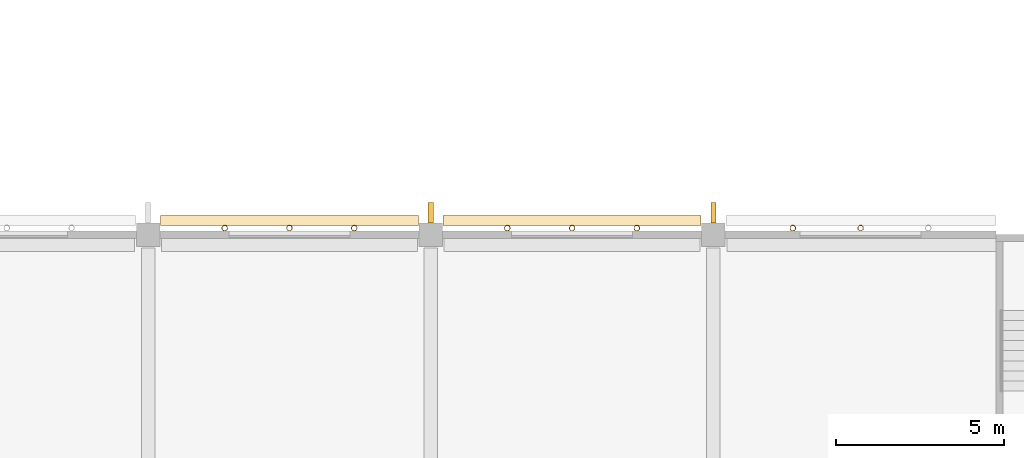
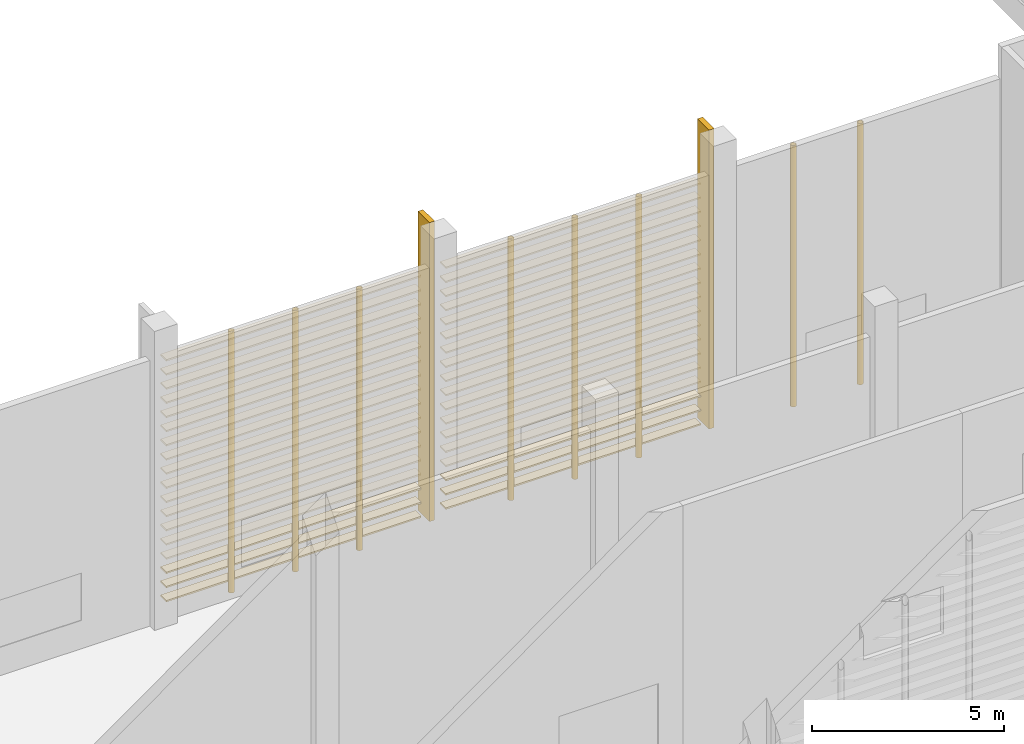
# One storey, part 90 of 114: 36 coverings, 10 shading devices.
"""IFC4 building model written with IfcOpenShell, lengths in metres."""

from ifc_helpers import new_model, si_unit, direction, frame, origin, origin_2d, place, context, subcontext, project, spatial, rectangle, hollow_circle, extrude, material, material_profile, profile_set, type_object, element, save


model = new_model("IFC4")

# Units and contexts
model_context = context("Model", 3, precision=1e-05, world=origin(), true_north=direction((0.0, 1.0)))
body_context = subcontext(model_context, "Body", "Model", "MODEL_VIEW")
ifc_project = project(units=[si_unit("LENGTHUNIT", "METRE"), si_unit("AREAUNIT", "SQUARE_METRE"), si_unit("VOLUMEUNIT", "CUBIC_METRE"), si_unit("PLANEANGLEUNIT", "RADIAN"), si_unit("MASSUNIT", "GRAM", prefix="KILO")], contexts=[model_context])

# Site, building, storey
site_placement = place(None, origin())
site = spatial("IfcSite", under=ifc_project, at=site_placement, CompositionType="ELEMENT")
building_placement = place(site_placement, origin())
building = spatial("IfcBuilding", under=site, at=building_placement, Name="Almond Square Museum", CompositionType="ELEMENT")
storey_placement = place(building_placement, frame((0.0, 0.0, 10.5)))
storey = spatial("IfcBuildingStorey", under=building, at=storey_placement, Name="L02", CompositionType="ELEMENT", Elevation=10.5)

# Shading devices
ifc_material_1 = material(Name="Structural steel S355", Category="steel")
ifc_material_profile_1 = material_profile(ifc_material_1, hollow_circle(Radius=0.084228515625, WallThickness=0.008056640625, at=origin_2d()))
ifc_profile_set_1 = profile_set([ifc_material_profile_1], Name="Structural steel S355")
shading_device_type_1 = type_object("IfcShadingDeviceType", Name="Louvre post CHS 168.3 x 8", PredefinedType="USERDEFINED", material=ifc_profile_set_1)
for number, where, z_axis, x_axis, name in (
    (1, (117.5625, 16.994140625, 0.0), (0.0, 0.0, 1.0), (1.0, 0.0, 0.0), "Louvre screen post"),
    (2, (119.574951171875, 16.994140625, 0.0), (0.0, 0.0, 1.0), (1.0, 0.0, 0.0), "Louvre screen post"),
    (3, (109.074951171875, 16.994140625, 0.0), (0.0, 0.0, 1.0), (1.0, 0.0, 0.0), "Louvre screen post"),
    (4, (111.0, 16.994140625, 0.0), (0.0, 0.0, 1.0), (1.0, 0.0, 0.0), "Louvre screen post"),
    (5, (112.925048828125, 16.994140625, 0.0), (0.0, 0.0, 1.0), (1.0, 0.0, 0.0), "Louvre screen post"),
    (6, (100.675048828125, 16.994140625, 0.0), (0.0, 0.0, 1.0), (1.0, 0.0, 0.0), "Louvre screen post"),
    (7, (102.60009765625, 16.994140625, 0.0), (0.0, 0.0, 1.0), (1.0, 0.0, 0.0), "Louvre screen post"),
    (8, (104.52490234375, 16.994140625, 0.0), (0.0, 0.0, 1.0), (1.0, 0.0, 0.0), "Louvre screen post"),
):
    element("IfcShadingDevice", number, at=place(storey_placement, frame(where, z_axis=z_axis, x_axis=x_axis)), inside=storey, type_object=shading_device_type_1, Name=name, ObjectType="POST", PredefinedType="USERDEFINED", context=body_context, shape_type="SweptSolid", body=[
        extrude(hollow_circle(Radius=0.084228515625, WallThickness=0.008056640625, at=origin_2d()), origin(), (0.0, 0.0, 1.0), 8.300048828125),
    ])

# Coverings
ifc_material_2 = material(Name="Cedar timber louvre board", Category="wood")
ifc_material_profile_2 = material_profile(ifc_material_2, rectangle(XDim=0.300048828125, YDim=0.050048828125, at=origin_2d()))
ifc_profile_set_2 = profile_set([ifc_material_profile_2], Name="Cedar timber louvre board")
covering_type = type_object("IfcCoveringType", Name="Louvre screen board 300 x 50", PredefinedType="CLADDING", material=ifc_profile_set_2)
for number, where, z_axis, x_axis, name in (
    (9, (107.169921875, 17.224365234375, 0.300048828125), (1.0, 0.0, 0.0), (0.0, 1.0, 0.0), "Louvre screen board"),
    (10, (107.169921875, 17.224365234375, 0.75), (1.0, 0.0, 0.0), (0.0, 1.0, 0.0), "Louvre screen board"),
    (11, (107.169921875, 17.224365234375, 1.199951171875), (1.0, 0.0, 0.0), (0.0, 1.0, 0.0), "Louvre screen board"),
    (12, (107.169921875, 17.224365234375, 1.64990234375), (1.0, 0.0, 0.0), (0.0, 1.0, 0.0), "Louvre screen board"),
    (13, (107.169921875, 17.224365234375, 2.10009765625), (1.0, 0.0, 0.0), (0.0, 1.0, 0.0), "Louvre screen board"),
    (14, (107.169921875, 17.224365234375, 2.550048828125), (1.0, 0.0, 0.0), (0.0, 1.0, 0.0), "Louvre screen board"),
    (15, (107.169921875, 17.224365234375, 3.0), (1.0, 0.0, 0.0), (0.0, 1.0, 0.0), "Louvre screen board"),
    (16, (107.169921875, 17.224365234375, 3.449951171875), (1.0, 0.0, 0.0), (0.0, 1.0, 0.0), "Louvre screen board"),
    (17, (107.169921875, 17.224365234375, 3.89990234375), (1.0, 0.0, 0.0), (0.0, 1.0, 0.0), "Louvre screen board"),
    (18, (107.169921875, 17.224365234375, 4.35009765625), (1.0, 0.0, 0.0), (0.0, 1.0, 0.0), "Louvre screen board"),
    (19, (107.169921875, 17.224365234375, 4.800048828125), (1.0, 0.0, 0.0), (0.0, 1.0, 0.0), "Louvre screen board"),
    (20, (107.169921875, 17.224365234375, 5.25), (1.0, 0.0, 0.0), (0.0, 1.0, 0.0), "Louvre screen board"),
    (21, (107.169921875, 17.224365234375, 5.699951171875), (1.0, 0.0, 0.0), (0.0, 1.0, 0.0), "Louvre screen board"),
    (22, (107.169921875, 17.224365234375, 6.14990234375), (1.0, 0.0, 0.0), (0.0, 1.0, 0.0), "Louvre screen board"),
    (23, (107.169921875, 17.224365234375, 6.60009765625), (1.0, 0.0, 0.0), (0.0, 1.0, 0.0), "Louvre screen board"),
    (24, (107.169921875, 17.224365234375, 7.050048828125), (1.0, 0.0, 0.0), (0.0, 1.0, 0.0), "Louvre screen board"),
    (25, (107.169921875, 17.224365234375, 7.5), (1.0, 0.0, 0.0), (0.0, 1.0, 0.0), "Louvre screen board"),
    (26, (107.169921875, 17.224365234375, 7.949951171875), (1.0, 0.0, 0.0), (0.0, 1.0, 0.0), "Louvre screen board"),
):
    element("IfcCovering", number, at=place(storey_placement, frame(where, z_axis=z_axis, x_axis=x_axis)), inside=storey, type_object=covering_type, Name=name, PredefinedType="CLADDING", context=body_context, shape_type="SweptSolid", body=[
        extrude(rectangle(XDim=0.300048828125, YDim=0.050048828125, at=origin_2d()), origin(), (0.0, 0.0, 1.0), 7.66015625),
    ])
for number, where, z_axis, x_axis, name in (
    (27, (98.77001953125, 17.224365234375, 0.300048828125), (1.0, 0.0, 0.0), (0.0, 1.0, 0.0), "Louvre screen board"),
    (28, (98.77001953125, 17.224365234375, 0.75), (1.0, 0.0, 0.0), (0.0, 1.0, 0.0), "Louvre screen board"),
    (29, (98.77001953125, 17.224365234375, 1.199951171875), (1.0, 0.0, 0.0), (0.0, 1.0, 0.0), "Louvre screen board"),
    (30, (98.77001953125, 17.224365234375, 1.64990234375), (1.0, 0.0, 0.0), (0.0, 1.0, 0.0), "Louvre screen board"),
    (31, (98.77001953125, 17.224365234375, 2.10009765625), (1.0, 0.0, 0.0), (0.0, 1.0, 0.0), "Louvre screen board"),
    (32, (98.77001953125, 17.224365234375, 2.550048828125), (1.0, 0.0, 0.0), (0.0, 1.0, 0.0), "Louvre screen board"),
    (33, (98.77001953125, 17.224365234375, 3.0), (1.0, 0.0, 0.0), (0.0, 1.0, 0.0), "Louvre screen board"),
    (34, (98.77001953125, 17.224365234375, 3.449951171875), (1.0, 0.0, 0.0), (0.0, 1.0, 0.0), "Louvre screen board"),
    (35, (98.77001953125, 17.224365234375, 3.89990234375), (1.0, 0.0, 0.0), (0.0, 1.0, 0.0), "Louvre screen board"),
    (36, (98.77001953125, 17.224365234375, 4.35009765625), (1.0, 0.0, 0.0), (0.0, 1.0, 0.0), "Louvre screen board"),
    (37, (98.77001953125, 17.224365234375, 4.800048828125), (1.0, 0.0, 0.0), (0.0, 1.0, 0.0), "Louvre screen board"),
    (38, (98.77001953125, 17.224365234375, 5.25), (1.0, 0.0, 0.0), (0.0, 1.0, 0.0), "Louvre screen board"),
    (39, (98.77001953125, 17.224365234375, 5.699951171875), (1.0, 0.0, 0.0), (0.0, 1.0, 0.0), "Louvre screen board"),
    (40, (98.77001953125, 17.224365234375, 6.14990234375), (1.0, 0.0, 0.0), (0.0, 1.0, 0.0), "Louvre screen board"),
    (41, (98.77001953125, 17.224365234375, 6.60009765625), (1.0, 0.0, 0.0), (0.0, 1.0, 0.0), "Louvre screen board"),
    (42, (98.77001953125, 17.224365234375, 7.050048828125), (1.0, 0.0, 0.0), (0.0, 1.0, 0.0), "Louvre screen board"),
    (43, (98.77001953125, 17.224365234375, 7.5), (1.0, 0.0, 0.0), (0.0, 1.0, 0.0), "Louvre screen board"),
    (44, (98.77001953125, 17.224365234375, 7.949951171875), (1.0, 0.0, 0.0), (0.0, 1.0, 0.0), "Louvre screen board"),
):
    element("IfcCovering", number, at=place(storey_placement, frame(where, z_axis=z_axis, x_axis=x_axis)), inside=storey, type_object=covering_type, Name=name, PredefinedType="CLADDING", context=body_context, shape_type="SweptSolid", body=[
        extrude(rectangle(XDim=0.300048828125, YDim=0.050048828125, at=origin_2d()), origin(), (0.0, 0.0, 1.0), 7.659912109375),
    ])

# Shading devices
ifc_material_3 = material(Name="Cedar timber fin", Category="wood")
shading_device_type_2 = type_object("IfcShadingDeviceType", Name="Timber storm fin 150 x 600", PredefinedType="USERDEFINED", material=ifc_material_3)
for number, where, z_axis, x_axis, name in (
    (45, (106.800048828125, 17.449951171875, 0.0), (0.0, 0.0, 1.0), (1.0, 0.0, 0.0), "Timber storm fin"),
    (46, (115.199951171875, 17.449951171875, 0.0), (0.0, 0.0, 1.0), (1.0, 0.0, 0.0), "Timber storm fin"),
):
    element("IfcShadingDevice", number, at=place(storey_placement, frame(where, z_axis=z_axis, x_axis=x_axis)), inside=storey, type_object=shading_device_type_2, Name=name, ObjectType="FIN", PredefinedType="USERDEFINED", context=body_context, shape_type="SweptSolid", body=[
        extrude(rectangle(XDim=0.14990234375, YDim=0.60009765625, at=origin_2d()), origin(), (0.0, 0.0, 1.0), 9.5),
    ])

save(model, "model.ifc")
